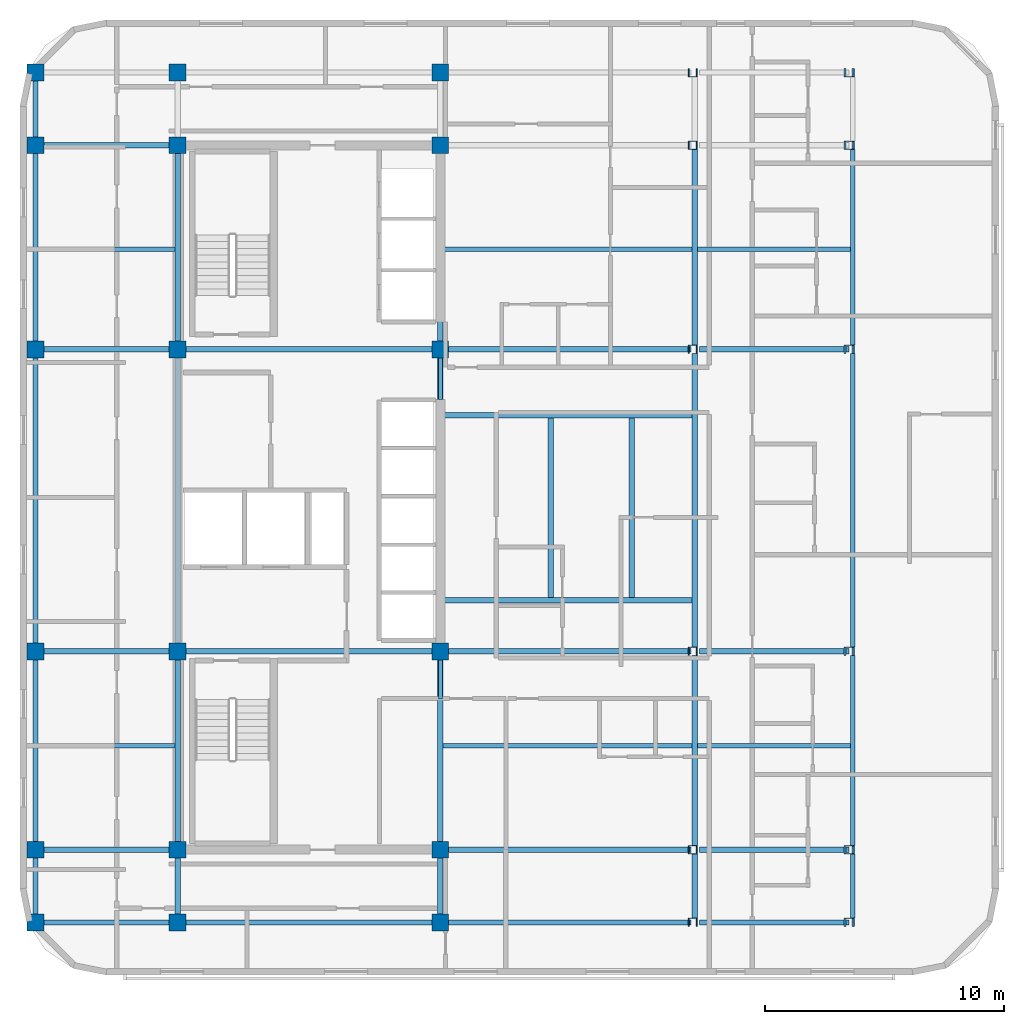
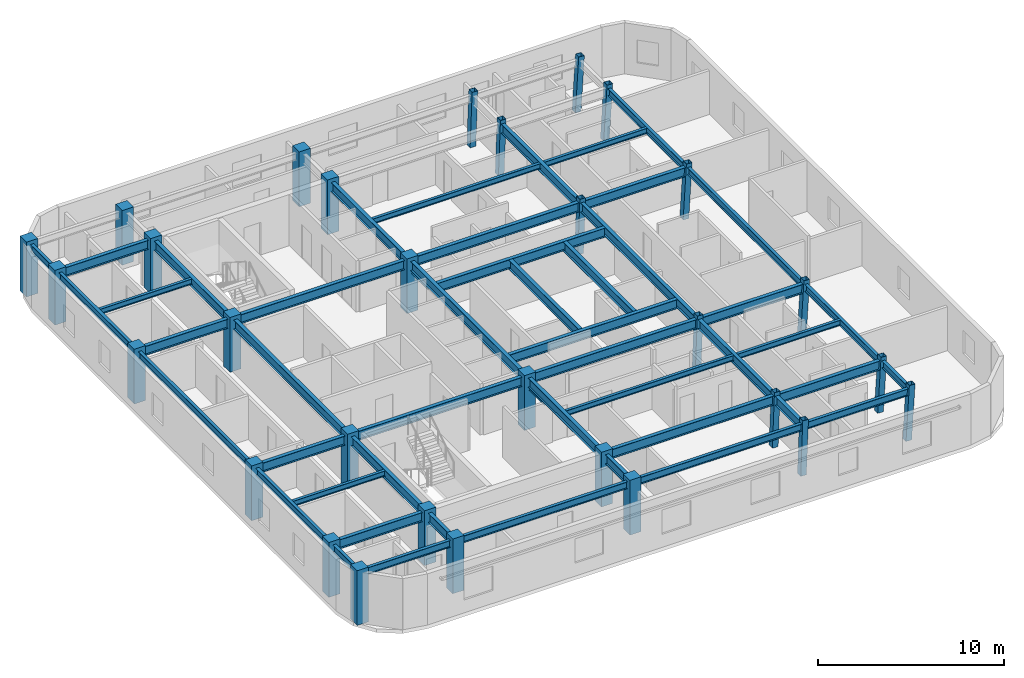
# One storey, part 1 of 10: 49 beams, 30 columns.
"""IFC4 building model written with IfcOpenShell, lengths in metres."""

from ifc_helpers import new_model, si_unit, direction, frame, origin, origin_2d, place, context, subcontext, project, spatial, rectangle, hollow_rectangle, i_section, extrude, material, material_profile, profile_set, type_object, element, save


model = new_model("IFC4")

# Units and contexts
model_context = context("Model", 3, precision=1e-05, world=origin(), true_north=direction((0.0, 1.0)))
body_context = subcontext(model_context, "Body", "Model", "MODEL_VIEW")
ifc_project = project(units=[si_unit("LENGTHUNIT", "METRE"), si_unit("AREAUNIT", "SQUARE_METRE"), si_unit("VOLUMEUNIT", "CUBIC_METRE"), si_unit("PLANEANGLEUNIT", "RADIAN"), si_unit("MASSUNIT", "GRAM", prefix="KILO")], contexts=[model_context])

# Site, building, storey
site_placement = place(None, origin())
site = spatial("IfcSite", under=ifc_project, at=site_placement, CompositionType="ELEMENT")
building_placement = place(site_placement, origin())
building = spatial("IfcBuilding", under=site, at=building_placement, Name="Ochreholt Gables", CompositionType="ELEMENT")
storey_placement = place(building_placement, frame((0.0, 0.0, 166.199951171875)))
storey = spatial("IfcBuildingStorey", under=building, at=storey_placement, Name="L43", CompositionType="ELEMENT", Elevation=166.199951171875)

# Columns
ifc_material_1 = material(Name="Steel CSA G40.21 350W", Category="steel")
ifc_material_profile_1 = material_profile(ifc_material_1, hollow_rectangle(XDim=0.35595703125, YDim=0.35595703125, WallThickness=0.01611328125, at=origin_2d()), Name="HSS356X356X16")
ifc_profile_set_1 = profile_set([ifc_material_profile_1], Name="Steel CSA G40.21 350W")
column_type_1 = type_object("IfcColumnType", Name="COL-HSS356-RAK", PredefinedType="COLUMN", material=ifc_profile_set_1)
for number, where, z_axis, x_axis, name in (
    (1, (45.7529296875, 9.25, 0.0), (0.034971136209, 0.0, 0.999388322742), (0.0, 1.0, 0.0), "L43 Column EMY2"),
    (2, (45.7529296875, 17.550048828125, 0.0), (0.034971136209, 0.0, 0.999388322742), (0.0, 1.0, 0.0), "L43 Column EMY3"),
    (3, (45.7529296875, 30.199951171875, 0.0), (0.034971136209, 0.0, 0.999388322742), (0.0, 1.0, 0.0), "L43 Column EMY4"),
    (4, (45.7529296875, 38.75, 0.0), (0.034971136209, 0.0, 0.999388322742), (0.0, 1.0, 0.0), "L43 Column EMY5"),
):
    element("IfcColumn", number, at=place(storey_placement, frame(where, z_axis=z_axis, x_axis=x_axis)), inside=storey, type_object=column_type_1, Name=name, PredefinedType="COLUMN", context=body_context, shape_type="SweptSolid", body=[
        extrude(hollow_rectangle(XDim=0.35595703125, YDim=0.35595703125, WallThickness=0.01611328125, at=origin_2d()), origin(), (0.0, 0.0, 1.0), 3.602294921875),
    ])
ifc_material_profile_2 = material_profile(ifc_material_1, hollow_rectangle(XDim=0.35595703125, YDim=0.35595703125, WallThickness=0.01611328125, at=origin_2d()), Name="HSS356X356X16")
ifc_profile_set_2 = profile_set([ifc_material_profile_2], Name="Steel CSA G40.21 350W")
column_type_2 = type_object("IfcColumnType", Name="COL-HSS356-RAKE", PredefinedType="COLUMN", material=ifc_profile_set_2)
for number, where, z_axis, x_axis, name in (
    (5, (45.7529296875, 6.199951171875, 0.0), (0.034971136209, 0.0, 0.999388322742), (0.0, 1.0, 0.0), "L43 Column EMY1"),
    (6, (45.7529296875, 41.800048828125, 0.0), (0.034971136209, 0.0, 0.999388322742), (0.0, 1.0, 0.0), "L43 Column EMY6"),
):
    element("IfcColumn", number, at=place(storey_placement, frame(where, z_axis=z_axis, x_axis=x_axis)), inside=storey, type_object=column_type_2, Name=name, PredefinedType="COLUMN", context=body_context, shape_type="SweptSolid", body=[
        extrude(hollow_rectangle(XDim=0.35595703125, YDim=0.35595703125, WallThickness=0.01611328125, at=origin_2d()), origin(), (0.0, 0.0, 1.0), 3.602294921875),
    ])
for number, where, z_axis, x_axis, name in (
    (7, (52.29638671875, 6.199951171875, 0.0), (0.057884606321, 0.0, 0.998323280481), (0.0, 1.0, 0.0), "L43 Column EEY1"),
    (8, (52.29638671875, 9.25, 0.0), (0.057884606321, 0.0, 0.998323280481), (0.0, 1.0, 0.0), "L43 Column EEY2"),
    (9, (52.29638671875, 17.550048828125, 0.0), (0.057884606321, 0.0, 0.998323280481), (0.0, 1.0, 0.0), "L43 Column EEY3"),
    (10, (52.29638671875, 30.199951171875, 0.0), (0.057884606321, 0.0, 0.998323280481), (0.0, 1.0, 0.0), "L43 Column EEY4"),
    (11, (52.29638671875, 38.75, 0.0), (0.057884606321, 0.0, 0.998323280481), (0.0, 1.0, 0.0), "L43 Column EEY5"),
    (12, (52.29638671875, 41.800048828125, 0.0), (0.057884606321, 0.0, 0.998323280481), (0.0, 1.0, 0.0), "L43 Column EEY6"),
):
    element("IfcColumn", number, at=place(storey_placement, frame(where, z_axis=z_axis, x_axis=x_axis)), inside=storey, type_object=column_type_2, Name=name, PredefinedType="COLUMN", context=body_context, shape_type="SweptSolid", body=[
        extrude(hollow_rectangle(XDim=0.35595703125, YDim=0.35595703125, WallThickness=0.01611328125, at=origin_2d()), origin(), (0.0, 0.0, 1.0), 3.606201171875),
    ])
ifc_material_2 = material(Name="Concrete 50 MPa", Category="concrete")
ifc_material_profile_3 = material_profile(ifc_material_2, rectangle(XDim=0.699951171875, YDim=0.699951171875, at=origin_2d()), Name="RC700X700")
ifc_profile_set_3 = profile_set([ifc_material_profile_3], Name="Concrete 50 MPa")
column_type_3 = type_object("IfcColumnType", Name="COL-RC700-EXT", PredefinedType="COLUMN", material=ifc_profile_set_3)
for number, where, z_axis, x_axis, name in (
    (13, (18.25, 6.199951171875, 0.0), (0.0, 0.0, 1.0), (1.0, 0.0, 0.0), "L43 Column W3Y1"),
    (14, (18.25, 9.25, 0.0), (0.0, 0.0, 1.0), (1.0, 0.0, 0.0), "L43 Column W3Y2"),
    (15, (18.25, 17.550048828125, 0.0), (0.0, 0.0, 1.0), (1.0, 0.0, 0.0), "L43 Column W3Y3"),
    (16, (18.25, 30.199951171875, 0.0), (0.0, 0.0, 1.0), (1.0, 0.0, 0.0), "L43 Column W3Y4"),
    (17, (18.25, 38.75, 0.0), (0.0, 0.0, 1.0), (1.0, 0.0, 0.0), "L43 Column W3Y5"),
    (18, (18.25, 41.800048828125, 0.0), (0.0, 0.0, 1.0), (1.0, 0.0, 0.0), "L43 Column W3Y6"),
    (19, (24.199951171875, 6.199951171875, 0.0), (0.0, 0.0, 1.0), (1.0, 0.0, 0.0), "L43 Column C1Y1"),
    (20, (24.199951171875, 41.800048828125, 0.0), (0.0, 0.0, 1.0), (1.0, 0.0, 0.0), "L43 Column C1Y6"),
    (21, (35.199951171875, 6.199951171875, 0.0), (0.0, 0.0, 1.0), (1.0, 0.0, 0.0), "L43 Column C2Y1"),
    (22, (35.199951171875, 41.800048828125, 0.0), (0.0, 0.0, 1.0), (1.0, 0.0, 0.0), "L43 Column C2Y6"),
):
    element("IfcColumn", number, at=place(storey_placement, frame(where, z_axis=z_axis, x_axis=x_axis)), inside=storey, type_object=column_type_3, Name=name, PredefinedType="COLUMN", context=body_context, shape_type="SweptSolid", body=[
        extrude(rectangle(XDim=0.699951171875, YDim=0.699951171875, at=origin_2d()), origin(), (0.0, 0.0, 1.0), 3.60009765625),
    ])
ifc_material_profile_4 = material_profile(ifc_material_2, rectangle(XDim=0.699951171875, YDim=0.699951171875, at=origin_2d()), Name="RC700X700")
ifc_profile_set_4 = profile_set([ifc_material_profile_4], Name="Concrete 50 MPa")
column_type_4 = type_object("IfcColumnType", Name="COL-RC700-INT", PredefinedType="COLUMN", material=ifc_profile_set_4)
for number, where, z_axis, x_axis, name in (
    (23, (24.199951171875, 9.25, 0.0), (0.0, 0.0, 1.0), (1.0, 0.0, 0.0), "L43 Column C1Y2"),
    (24, (24.199951171875, 17.550048828125, 0.0), (0.0, 0.0, 1.0), (1.0, 0.0, 0.0), "L43 Column C1Y3"),
    (25, (24.199951171875, 30.199951171875, 0.0), (0.0, 0.0, 1.0), (1.0, 0.0, 0.0), "L43 Column C1Y4"),
    (26, (24.199951171875, 38.75, 0.0), (0.0, 0.0, 1.0), (1.0, 0.0, 0.0), "L43 Column C1Y5"),
    (27, (35.199951171875, 9.25, 0.0), (0.0, 0.0, 1.0), (1.0, 0.0, 0.0), "L43 Column C2Y2"),
    (28, (35.199951171875, 17.550048828125, 0.0), (0.0, 0.0, 1.0), (1.0, 0.0, 0.0), "L43 Column C2Y3"),
    (29, (35.199951171875, 30.199951171875, 0.0), (0.0, 0.0, 1.0), (1.0, 0.0, 0.0), "L43 Column C2Y4"),
    (30, (35.199951171875, 38.75, 0.0), (0.0, 0.0, 1.0), (1.0, 0.0, 0.0), "L43 Column C2Y5"),
):
    element("IfcColumn", number, at=place(storey_placement, frame(where, z_axis=z_axis, x_axis=x_axis)), inside=storey, type_object=column_type_4, Name=name, PredefinedType="COLUMN", context=body_context, shape_type="SweptSolid", body=[
        extrude(rectangle(XDim=0.699951171875, YDim=0.699951171875, at=origin_2d()), origin(), (0.0, 0.0, 1.0), 3.60009765625),
    ])

# Beams
ifc_material_profile_5 = material_profile(ifc_material_1, i_section(OverallWidth=0.22900390625, OverallDepth=0.612060546875, WebThickness=0.011962890625, FlangeThickness=0.01953125, at=origin_2d()), Name="W610X125")
ifc_profile_set_5 = profile_set([ifc_material_profile_5], Name="Steel CSA G40.21 350W")
beam_type_1 = type_object("IfcBeamType", Name="BM-G-W610B", PredefinedType="BEAM", material=ifc_profile_set_5)
beam_1_placement = place(storey_placement, frame((18.599609375, 9.25, 3.053955078125), z_axis=(1.0, 0.0, 0.0), x_axis=(0.0, 1.0, 0.0)))
element("IfcBeam", 31, at=beam_1_placement, inside=storey, type_object=beam_type_1, Name="L43 Beam TBG-L43-W3C1-Y2", PredefinedType="BEAM", context=body_context, shape_type="SweptSolid", body=[
    extrude(i_section(OverallWidth=0.22900390625, OverallDepth=0.612060546875, WebThickness=0.011962890625, FlangeThickness=0.01953125, at=origin_2d()), origin(), (0.0, 0.0, 1.0), 5.250732421875),
])
beam_2_placement = place(storey_placement, frame((35.549560546875, 9.25, 3.053955078125), z_axis=(1.0, 0.0, 0.0), x_axis=(0.0, 1.0, 0.0)))
element("IfcBeam", 32, at=beam_2_placement, inside=storey, type_object=beam_type_1, Name="L43 Beam TBG-L43-C2EM-Y2", PredefinedType="BEAM", context=body_context, shape_type="SweptSolid", body=[
    extrude(i_section(OverallWidth=0.22900390625, OverallDepth=0.612060546875, WebThickness=0.011962890625, FlangeThickness=0.01953125, at=origin_2d()), origin(), (0.0, 0.0, 1.0), 10.15185546875),
])
beam_3_placement = place(storey_placement, frame((46.056640625, 9.25, 3.053955078125), z_axis=(1.0, 0.0, 0.0), x_axis=(0.0, 1.0, 0.0)))
element("IfcBeam", 33, at=beam_3_placement, inside=storey, type_object=beam_type_1, Name="L43 Beam TBG-L43-EMEE-Y2", PredefinedType="BEAM", context=body_context, shape_type="SweptSolid", body=[
    extrude(i_section(OverallWidth=0.22900390625, OverallDepth=0.612060546875, WebThickness=0.011962890625, FlangeThickness=0.01953125, at=origin_2d()), origin(), (0.0, 0.0, 1.0), 6.27099609375),
])
beam_4_placement = place(storey_placement, frame((18.599609375, 17.550048828125, 3.053955078125), z_axis=(1.0, 0.0, 0.0), x_axis=(0.0, 1.0, 0.0)))
element("IfcBeam", 34, at=beam_4_placement, inside=storey, type_object=beam_type_1, Name="L43 Beam TBG-L43-W3C1-Y3", PredefinedType="BEAM", context=body_context, shape_type="SweptSolid", body=[
    extrude(i_section(OverallWidth=0.22900390625, OverallDepth=0.612060546875, WebThickness=0.011962890625, FlangeThickness=0.01953125, at=origin_2d()), origin(), (0.0, 0.0, 1.0), 5.250732421875),
])
beam_5_placement = place(storey_placement, frame((24.549560546875, 17.550048828125, 3.053955078125), z_axis=(1.0, 0.0, 0.0), x_axis=(0.0, 1.0, 0.0)))
element("IfcBeam", 35, at=beam_5_placement, inside=storey, type_object=beam_type_1, Name="L43 Beam TBG-L43-C1C2-Y3", PredefinedType="BEAM", context=body_context, shape_type="SweptSolid", body=[
    extrude(i_section(OverallWidth=0.22900390625, OverallDepth=0.612060546875, WebThickness=0.011962890625, FlangeThickness=0.01953125, at=origin_2d()), origin(), (0.0, 0.0, 1.0), 10.30078125),
])
beam_6_placement = place(storey_placement, frame((35.549560546875, 17.550048828125, 3.053955078125), z_axis=(1.0, 0.0, 0.0), x_axis=(0.0, 1.0, 0.0)))
element("IfcBeam", 36, at=beam_6_placement, inside=storey, type_object=beam_type_1, Name="L43 Beam TBG-L43-C2EM-Y3", PredefinedType="BEAM", context=body_context, shape_type="SweptSolid", body=[
    extrude(i_section(OverallWidth=0.22900390625, OverallDepth=0.612060546875, WebThickness=0.011962890625, FlangeThickness=0.01953125, at=origin_2d()), origin(), (0.0, 0.0, 1.0), 10.15185546875),
])
beam_7_placement = place(storey_placement, frame((46.056640625, 17.550048828125, 3.053955078125), z_axis=(1.0, 0.0, 0.0), x_axis=(0.0, 1.0, 0.0)))
element("IfcBeam", 37, at=beam_7_placement, inside=storey, type_object=beam_type_1, Name="L43 Beam TBG-L43-EMEE-Y3", PredefinedType="BEAM", context=body_context, shape_type="SweptSolid", body=[
    extrude(i_section(OverallWidth=0.22900390625, OverallDepth=0.612060546875, WebThickness=0.011962890625, FlangeThickness=0.01953125, at=origin_2d()), origin(), (0.0, 0.0, 1.0), 6.27099609375),
])
beam_8_placement = place(storey_placement, frame((18.599609375, 30.199951171875, 3.053955078125), z_axis=(1.0, 0.0, 0.0), x_axis=(0.0, 1.0, 0.0)))
element("IfcBeam", 38, at=beam_8_placement, inside=storey, type_object=beam_type_1, Name="L43 Beam TBG-L43-W3C1-Y4", PredefinedType="BEAM", context=body_context, shape_type="SweptSolid", body=[
    extrude(i_section(OverallWidth=0.22900390625, OverallDepth=0.612060546875, WebThickness=0.011962890625, FlangeThickness=0.01953125, at=origin_2d()), origin(), (0.0, 0.0, 1.0), 5.250732421875),
])
beam_9_placement = place(storey_placement, frame((24.549560546875, 30.199951171875, 3.053955078125), z_axis=(1.0, 0.0, 0.0), x_axis=(0.0, 1.0, 0.0)))
element("IfcBeam", 39, at=beam_9_placement, inside=storey, type_object=beam_type_1, Name="L43 Beam TBG-L43-C1C2-Y4", PredefinedType="BEAM", context=body_context, shape_type="SweptSolid", body=[
    extrude(i_section(OverallWidth=0.22900390625, OverallDepth=0.612060546875, WebThickness=0.011962890625, FlangeThickness=0.01953125, at=origin_2d()), origin(), (0.0, 0.0, 1.0), 10.30078125),
])
beam_10_placement = place(storey_placement, frame((35.549560546875, 30.199951171875, 3.053955078125), z_axis=(1.0, 0.0, 0.0), x_axis=(0.0, 1.0, 0.0)))
element("IfcBeam", 40, at=beam_10_placement, inside=storey, type_object=beam_type_1, Name="L43 Beam TBG-L43-C2EM-Y4", PredefinedType="BEAM", context=body_context, shape_type="SweptSolid", body=[
    extrude(i_section(OverallWidth=0.22900390625, OverallDepth=0.612060546875, WebThickness=0.011962890625, FlangeThickness=0.01953125, at=origin_2d()), origin(), (0.0, 0.0, 1.0), 10.15185546875),
])
beam_11_placement = place(storey_placement, frame((46.056640625, 30.199951171875, 3.053955078125), z_axis=(1.0, 0.0, 0.0), x_axis=(0.0, 1.0, 0.0)))
element("IfcBeam", 41, at=beam_11_placement, inside=storey, type_object=beam_type_1, Name="L43 Beam TBG-L43-EMEE-Y4", PredefinedType="BEAM", context=body_context, shape_type="SweptSolid", body=[
    extrude(i_section(OverallWidth=0.22900390625, OverallDepth=0.612060546875, WebThickness=0.011962890625, FlangeThickness=0.01953125, at=origin_2d()), origin(), (0.0, 0.0, 1.0), 6.27099609375),
])
beam_12_placement = place(storey_placement, frame((18.599609375, 38.75, 3.053955078125), z_axis=(1.0, 0.0, 0.0), x_axis=(0.0, 1.0, 0.0)))
element("IfcBeam", 42, at=beam_12_placement, inside=storey, type_object=beam_type_1, Name="L43 Beam TBG-L43-W3C1-Y5", PredefinedType="BEAM", context=body_context, shape_type="SweptSolid", body=[
    extrude(i_section(OverallWidth=0.22900390625, OverallDepth=0.612060546875, WebThickness=0.011962890625, FlangeThickness=0.01953125, at=origin_2d()), origin(), (0.0, 0.0, 1.0), 5.250732421875),
])
beam_13_placement = place(storey_placement, frame((24.199951171875, 6.549560546875, 3.053955078125), z_axis=(0.0, 1.0, 0.0), x_axis=(-1.0, 0.0, 0.0)))
element("IfcBeam", 43, at=beam_13_placement, inside=storey, type_object=beam_type_1, Name="L43 Beam TBN-L43-C1-Y1Y2", PredefinedType="BEAM", context=body_context, shape_type="SweptSolid", body=[
    extrude(i_section(OverallWidth=0.22900390625, OverallDepth=0.612060546875, WebThickness=0.011962890625, FlangeThickness=0.01953125, at=origin_2d()), origin(), (0.0, 0.0, 1.0), 2.350830078125),
])
beam_14_placement = place(storey_placement, frame((24.199951171875, 9.599609375, 3.053955078125), z_axis=(0.0, 1.0, 0.0), x_axis=(-1.0, 0.0, 0.0)))
element("IfcBeam", 44, at=beam_14_placement, inside=storey, type_object=beam_type_1, Name="L43 Beam TBN-L43-C1-Y2Y3", PredefinedType="BEAM", context=body_context, shape_type="SweptSolid", body=[
    extrude(i_section(OverallWidth=0.22900390625, OverallDepth=0.612060546875, WebThickness=0.011962890625, FlangeThickness=0.01953125, at=origin_2d()), origin(), (0.0, 0.0, 1.0), 7.600830078125),
])
beam_15_placement = place(storey_placement, frame((24.199951171875, 17.899658203125, 3.053955078125), z_axis=(0.0, 1.0, 0.0), x_axis=(-1.0, 0.0, 0.0)))
element("IfcBeam", 45, at=beam_15_placement, inside=storey, type_object=beam_type_1, Name="L43 Beam TBN-L43-C1-Y3Y4", PredefinedType="BEAM", context=body_context, shape_type="SweptSolid", body=[
    extrude(i_section(OverallWidth=0.22900390625, OverallDepth=0.612060546875, WebThickness=0.011962890625, FlangeThickness=0.01953125, at=origin_2d()), origin(), (0.0, 0.0, 1.0), 11.95068359375),
])
beam_16_placement = place(storey_placement, frame((24.199951171875, 30.549560546875, 3.053955078125), z_axis=(0.0, 1.0, 0.0), x_axis=(-1.0, 0.0, 0.0)))
element("IfcBeam", 46, at=beam_16_placement, inside=storey, type_object=beam_type_1, Name="L43 Beam TBN-L43-C1-Y4Y5", PredefinedType="BEAM", context=body_context, shape_type="SweptSolid", body=[
    extrude(i_section(OverallWidth=0.22900390625, OverallDepth=0.612060546875, WebThickness=0.011962890625, FlangeThickness=0.01953125, at=origin_2d()), origin(), (0.0, 0.0, 1.0), 7.850830078125),
])
beam_17_placement = place(storey_placement, frame((35.199951171875, 6.549560546875, 3.053955078125), z_axis=(0.0, 1.0, 0.0), x_axis=(-1.0, 0.0, 0.0)))
element("IfcBeam", 47, at=beam_17_placement, inside=storey, type_object=beam_type_1, Name="L43 Beam TBN-L43-C2-Y1Y2", PredefinedType="BEAM", context=body_context, shape_type="SweptSolid", body=[
    extrude(i_section(OverallWidth=0.22900390625, OverallDepth=0.612060546875, WebThickness=0.011962890625, FlangeThickness=0.01953125, at=origin_2d()), origin(), (0.0, 0.0, 1.0), 2.350830078125),
])
beam_18_placement = place(storey_placement, frame((35.199951171875, 9.599609375, 3.053955078125), z_axis=(0.0, 1.0, 0.0), x_axis=(-1.0, 0.0, 0.0)))
element("IfcBeam", 48, at=beam_18_placement, inside=storey, type_object=beam_type_1, Name="L43 Beam TBN-L43-C2-Y2Y3", PredefinedType="BEAM", context=body_context, shape_type="SweptSolid", body=[
    extrude(i_section(OverallWidth=0.22900390625, OverallDepth=0.612060546875, WebThickness=0.011962890625, FlangeThickness=0.01953125, at=origin_2d()), origin(), (0.0, 0.0, 1.0), 7.600830078125),
])
beam_19_placement = place(storey_placement, frame((35.199951171875, 17.899658203125, 3.053955078125), z_axis=(0.0, 1.0, 0.0), x_axis=(-1.0, 0.0, 0.0)))
element("IfcBeam", 49, at=beam_19_placement, inside=storey, type_object=beam_type_1, Name="L43 Beam TBN-L43-C2-Y3Y4", PredefinedType="BEAM", context=body_context, shape_type="SweptSolid", body=[
    extrude(i_section(OverallWidth=0.22900390625, OverallDepth=0.612060546875, WebThickness=0.011962890625, FlangeThickness=0.01953125, at=origin_2d()), origin(), (0.0, 0.0, 1.0), 11.95068359375),
])
beam_20_placement = place(storey_placement, frame((35.199951171875, 30.549560546875, 3.053955078125), z_axis=(0.0, 1.0, 0.0), x_axis=(-1.0, 0.0, 0.0)))
element("IfcBeam", 50, at=beam_20_placement, inside=storey, type_object=beam_type_1, Name="L43 Beam TBN-L43-C2-Y4Y5", PredefinedType="BEAM", context=body_context, shape_type="SweptSolid", body=[
    extrude(i_section(OverallWidth=0.22900390625, OverallDepth=0.612060546875, WebThickness=0.011962890625, FlangeThickness=0.01953125, at=origin_2d()), origin(), (0.0, 0.0, 1.0), 7.850830078125),
])
beam_21_placement = place(storey_placement, frame((45.86181640625, 6.377685546875, 3.053955078125), z_axis=(0.0, 1.0, 0.0), x_axis=(-1.0, 0.0, 0.0)))
element("IfcBeam", 51, at=beam_21_placement, inside=storey, type_object=beam_type_1, Name="L43 Beam TBN-L43-EM-Y1Y2", PredefinedType="BEAM", context=body_context, shape_type="SweptSolid", body=[
    extrude(i_section(OverallWidth=0.22900390625, OverallDepth=0.612060546875, WebThickness=0.011962890625, FlangeThickness=0.01953125, at=origin_2d()), origin(), (0.0, 0.0, 1.0), 2.69482421875),
])
beam_22_placement = place(storey_placement, frame((45.86181640625, 9.427490234375, 3.053955078125), z_axis=(0.0, 1.0, 0.0), x_axis=(-1.0, 0.0, 0.0)))
element("IfcBeam", 52, at=beam_22_placement, inside=storey, type_object=beam_type_1, Name="L43 Beam TBN-L43-EM-Y2Y3", PredefinedType="BEAM", context=body_context, shape_type="SweptSolid", body=[
    extrude(i_section(OverallWidth=0.22900390625, OverallDepth=0.612060546875, WebThickness=0.011962890625, FlangeThickness=0.01953125, at=origin_2d()), origin(), (0.0, 0.0, 1.0), 7.94482421875),
])
beam_23_placement = place(storey_placement, frame((45.86181640625, 17.7275390625, 3.053955078125), z_axis=(0.0, 1.0, 0.0), x_axis=(-1.0, 0.0, 0.0)))
element("IfcBeam", 53, at=beam_23_placement, inside=storey, type_object=beam_type_1, Name="L43 Beam TBN-L43-EM-Y3Y4", PredefinedType="BEAM", context=body_context, shape_type="SweptSolid", body=[
    extrude(i_section(OverallWidth=0.22900390625, OverallDepth=0.612060546875, WebThickness=0.011962890625, FlangeThickness=0.01953125, at=origin_2d()), origin(), (0.0, 0.0, 1.0), 12.294921875),
])
beam_24_placement = place(storey_placement, frame((45.86181640625, 30.377685546875, 3.053955078125), z_axis=(0.0, 1.0, 0.0), x_axis=(-1.0, 0.0, 0.0)))
element("IfcBeam", 54, at=beam_24_placement, inside=storey, type_object=beam_type_1, Name="L43 Beam TBN-L43-EM-Y4Y5", PredefinedType="BEAM", context=body_context, shape_type="SweptSolid", body=[
    extrude(i_section(OverallWidth=0.22900390625, OverallDepth=0.612060546875, WebThickness=0.011962890625, FlangeThickness=0.01953125, at=origin_2d()), origin(), (0.0, 0.0, 1.0), 8.19482421875),
])
for number, where, z_axis, x_axis, name in (
    (55, (35.314208984375, 19.68994140625, 3.053955078125), (1.0, 0.0, 0.0), (0.0, 1.0, 0.0), "L43 Beam TBH-L43-ST-C4-FSTLS"),
    (56, (35.314208984375, 27.449951171875, 3.053955078125), (1.0, 0.0, 0.0), (0.0, 1.0, 0.0), "L43 Beam TBH-L43-ST-C4-FSTLN"),
):
    element("IfcBeam", number, at=place(storey_placement, frame(where, z_axis=z_axis, x_axis=x_axis)), inside=storey, type_object=beam_type_1, Name=name, PredefinedType="BEAM", context=body_context, shape_type="SweptSolid", body=[
        extrude(i_section(OverallWidth=0.22900390625, OverallDepth=0.612060546875, WebThickness=0.011962890625, FlangeThickness=0.01953125, at=origin_2d()), origin(), (0.0, 0.0, 1.0), 10.43359375),
    ])
for number, where, z_axis, x_axis, name in (
    (57, (39.840087890625, 19.80419921875, 3.053955078125), (0.0, 1.0, 0.0), (-1.0, 0.0, 0.0), "L43 Beam TBT-L43-ST-C4-FSTLW"),
    (58, (43.219970703125, 19.80419921875, 3.053955078125), (0.0, 1.0, 0.0), (-1.0, 0.0, 0.0), "L43 Beam TBT-L43-ST-C4-FSTLE"),
):
    element("IfcBeam", number, at=place(storey_placement, frame(where, z_axis=z_axis, x_axis=x_axis)), inside=storey, type_object=beam_type_1, Name=name, PredefinedType="BEAM", context=body_context, shape_type="SweptSolid", body=[
        extrude(i_section(OverallWidth=0.22900390625, OverallDepth=0.612060546875, WebThickness=0.011962890625, FlangeThickness=0.01953125, at=origin_2d()), origin(), (0.0, 0.0, 1.0), 7.53173828125),
    ])
ifc_material_profile_6 = material_profile(ifc_material_1, i_section(OverallWidth=0.172119140625, OverallDepth=0.35791015625, WebThickness=0.0078125, FlangeThickness=0.01318359375, at=origin_2d()), Name="W360X57")
ifc_profile_set_6 = profile_set([ifc_material_profile_6], Name="Steel CSA G40.21 350W")
beam_type_2 = type_object("IfcBeamType", Name="BM-J-W360B", PredefinedType="JOIST", material=ifc_profile_set_6)
beam_25_placement = place(storey_placement, frame((18.345703125, 13.60009765625, 3.18115234375), z_axis=(1.0, 0.0, 0.0), x_axis=(0.0, 1.0, 0.0)))
element("IfcBeam", 59, at=beam_25_placement, inside=storey, type_object=beam_type_2, Name="L43 Beam TBJ-L43-J1-W3C1", PredefinedType="JOIST", context=body_context, shape_type="SweptSolid", body=[
    extrude(i_section(OverallWidth=0.172119140625, OverallDepth=0.35791015625, WebThickness=0.0078125, FlangeThickness=0.01318359375, at=origin_2d()), origin(), (0.0, 0.0, 1.0), 5.740234375),
])
beam_26_placement = place(storey_placement, frame((35.314208984375, 13.60009765625, 3.18115234375), z_axis=(1.0, 0.0, 0.0), x_axis=(0.0, 1.0, 0.0)))
element("IfcBeam", 60, at=beam_26_placement, inside=storey, type_object=beam_type_2, Name="L43 Beam TBJ-L43-J1-C2EM", PredefinedType="JOIST", context=body_context, shape_type="SweptSolid", body=[
    extrude(i_section(OverallWidth=0.172119140625, OverallDepth=0.35791015625, WebThickness=0.0078125, FlangeThickness=0.01318359375, at=origin_2d()), origin(), (0.0, 0.0, 1.0), 10.43359375),
])
beam_27_placement = place(storey_placement, frame((45.975830078125, 13.60009765625, 3.18115234375), z_axis=(1.0, 0.0, 0.0), x_axis=(0.0, 1.0, 0.0)))
element("IfcBeam", 61, at=beam_27_placement, inside=storey, type_object=beam_type_2, Name="L43 Beam TBJ-L43-J1-EMEE", PredefinedType="JOIST", context=body_context, shape_type="SweptSolid", body=[
    extrude(i_section(OverallWidth=0.172119140625, OverallDepth=0.35791015625, WebThickness=0.0078125, FlangeThickness=0.01318359375, at=origin_2d()), origin(), (0.0, 0.0, 1.0), 6.4052734375),
])
beam_28_placement = place(storey_placement, frame((18.345703125, 34.39990234375, 3.18115234375), z_axis=(1.0, 0.0, 0.0), x_axis=(0.0, 1.0, 0.0)))
element("IfcBeam", 62, at=beam_28_placement, inside=storey, type_object=beam_type_2, Name="L43 Beam TBJ-L43-J2-W3C1", PredefinedType="JOIST", context=body_context, shape_type="SweptSolid", body=[
    extrude(i_section(OverallWidth=0.172119140625, OverallDepth=0.35791015625, WebThickness=0.0078125, FlangeThickness=0.01318359375, at=origin_2d()), origin(), (0.0, 0.0, 1.0), 5.740234375),
])
beam_29_placement = place(storey_placement, frame((35.314208984375, 34.39990234375, 3.18115234375), z_axis=(1.0, 0.0, 0.0), x_axis=(0.0, 1.0, 0.0)))
element("IfcBeam", 63, at=beam_29_placement, inside=storey, type_object=beam_type_2, Name="L43 Beam TBJ-L43-J2-C2EM", PredefinedType="JOIST", context=body_context, shape_type="SweptSolid", body=[
    extrude(i_section(OverallWidth=0.172119140625, OverallDepth=0.35791015625, WebThickness=0.0078125, FlangeThickness=0.01318359375, at=origin_2d()), origin(), (0.0, 0.0, 1.0), 10.43359375),
])
beam_30_placement = place(storey_placement, frame((45.975830078125, 34.39990234375, 3.18115234375), z_axis=(1.0, 0.0, 0.0), x_axis=(0.0, 1.0, 0.0)))
element("IfcBeam", 64, at=beam_30_placement, inside=storey, type_object=beam_type_2, Name="L43 Beam TBJ-L43-J2-EMEE", PredefinedType="JOIST", context=body_context, shape_type="SweptSolid", body=[
    extrude(i_section(OverallWidth=0.172119140625, OverallDepth=0.35791015625, WebThickness=0.0078125, FlangeThickness=0.01318359375, at=origin_2d()), origin(), (0.0, 0.0, 1.0), 6.4052734375),
])
ifc_material_profile_7 = material_profile(ifc_material_1, i_section(OverallWidth=0.1650390625, OverallDepth=0.200927734375, WebThickness=0.006103515625, FlangeThickness=0.01025390625, at=origin_2d()), Name="W200X36")
ifc_profile_set_7 = profile_set([ifc_material_profile_7], Name="Steel CSA G40.21 350W")
beam_type_3 = type_object("IfcBeamType", Name="BM-LIN-W200", PredefinedType="LINTEL", material=ifc_profile_set_7)
beam_31_placement = place(storey_placement, frame((35.2099609375, 15.550048828125, 2.6474609375), z_axis=(0.0, 1.0, 0.0), x_axis=(-1.0, 0.0, 0.0)))
element("IfcBeam", 65, at=beam_31_placement, inside=storey, type_object=beam_type_3, Name="L43 Core Coupling Lintel CPS", PredefinedType="LINTEL", context=body_context, shape_type="SweptSolid", body=[
    extrude(i_section(OverallWidth=0.1650390625, OverallDepth=0.200927734375, WebThickness=0.006103515625, FlangeThickness=0.01025390625, at=origin_2d()), origin(), (0.0, 0.0, 1.0), 1.64990234375),
])
beam_32_placement = place(storey_placement, frame((35.2099609375, 28.10009765625, 2.6474609375), z_axis=(0.0, 1.0, 0.0), x_axis=(-1.0, 0.0, 0.0)))
element("IfcBeam", 66, at=beam_32_placement, inside=storey, type_object=beam_type_3, Name="L43 Core Coupling Lintel CPN", PredefinedType="LINTEL", context=body_context, shape_type="SweptSolid", body=[
    extrude(i_section(OverallWidth=0.1650390625, OverallDepth=0.200927734375, WebThickness=0.006103515625, FlangeThickness=0.01025390625, at=origin_2d()), origin(), (0.0, 0.0, 1.0), 1.75),
])
ifc_material_profile_8 = material_profile(ifc_material_1, i_section(OverallWidth=0.19189453125, OverallDepth=0.462890625, WebThickness=0.010498046875, FlangeThickness=0.017578125, at=origin_2d()), Name="W460X89")
ifc_profile_set_8 = profile_set([ifc_material_profile_8], Name="Steel CSA G40.21 350W")
beam_type_4 = type_object("IfcBeamType", Name="BM-SP-W460A", PredefinedType="SPANDREL", material=ifc_profile_set_8)
beam_33_placement = place(storey_placement, frame((18.599609375, 6.199951171875, 3.128662109375), z_axis=(1.0, 0.0, 0.0), x_axis=(0.0, 1.0, 0.0)))
element("IfcBeam", 67, at=beam_33_placement, inside=storey, type_object=beam_type_4, Name="L43 Beam TBG-L43-W3C1-Y1", PredefinedType="SPANDREL", context=body_context, shape_type="SweptSolid", body=[
    extrude(i_section(OverallWidth=0.19189453125, OverallDepth=0.462890625, WebThickness=0.010498046875, FlangeThickness=0.017578125, at=origin_2d()), origin(), (0.0, 0.0, 1.0), 5.250732421875),
])
beam_34_placement = place(storey_placement, frame((24.549560546875, 6.199951171875, 3.128662109375), z_axis=(1.0, 0.0, 0.0), x_axis=(0.0, 1.0, 0.0)))
element("IfcBeam", 68, at=beam_34_placement, inside=storey, type_object=beam_type_4, Name="L43 Beam TBG-L43-C1C2-Y1", PredefinedType="SPANDREL", context=body_context, shape_type="SweptSolid", body=[
    extrude(i_section(OverallWidth=0.19189453125, OverallDepth=0.462890625, WebThickness=0.010498046875, FlangeThickness=0.017578125, at=origin_2d()), origin(), (0.0, 0.0, 1.0), 10.30078125),
])
beam_35_placement = place(storey_placement, frame((35.549560546875, 6.199951171875, 3.128662109375), z_axis=(1.0, 0.0, 0.0), x_axis=(0.0, 1.0, 0.0)))
element("IfcBeam", 69, at=beam_35_placement, inside=storey, type_object=beam_type_4, Name="L43 Beam TBG-L43-C2EM-Y1", PredefinedType="SPANDREL", context=body_context, shape_type="SweptSolid", body=[
    extrude(i_section(OverallWidth=0.19189453125, OverallDepth=0.462890625, WebThickness=0.010498046875, FlangeThickness=0.017578125, at=origin_2d()), origin(), (0.0, 0.0, 1.0), 10.15185546875),
])
beam_36_placement = place(storey_placement, frame((46.056640625, 6.199951171875, 3.128662109375), z_axis=(1.0, 0.0, 0.0), x_axis=(0.0, 1.0, 0.0)))
element("IfcBeam", 70, at=beam_36_placement, inside=storey, type_object=beam_type_4, Name="L43 Beam TBG-L43-EMEE-Y1", PredefinedType="SPANDREL", context=body_context, shape_type="SweptSolid", body=[
    extrude(i_section(OverallWidth=0.19189453125, OverallDepth=0.462890625, WebThickness=0.010498046875, FlangeThickness=0.017578125, at=origin_2d()), origin(), (0.0, 0.0, 1.0), 6.27099609375),
])
beam_37_placement = place(storey_placement, frame((18.25, 6.549560546875, 3.128662109375), z_axis=(0.0, 1.0, 0.0), x_axis=(-1.0, 0.0, 0.0)))
element("IfcBeam", 71, at=beam_37_placement, inside=storey, type_object=beam_type_4, Name="L43 Beam TBN-L43-W3-Y1Y2", PredefinedType="SPANDREL", context=body_context, shape_type="SweptSolid", body=[
    extrude(i_section(OverallWidth=0.19189453125, OverallDepth=0.462890625, WebThickness=0.010498046875, FlangeThickness=0.017578125, at=origin_2d()), origin(), (0.0, 0.0, 1.0), 2.350830078125),
])
beam_38_placement = place(storey_placement, frame((18.25, 9.599609375, 3.128662109375), z_axis=(0.0, 1.0, 0.0), x_axis=(-1.0, 0.0, 0.0)))
element("IfcBeam", 72, at=beam_38_placement, inside=storey, type_object=beam_type_4, Name="L43 Beam TBN-L43-W3-Y2Y3", PredefinedType="SPANDREL", context=body_context, shape_type="SweptSolid", body=[
    extrude(i_section(OverallWidth=0.19189453125, OverallDepth=0.462890625, WebThickness=0.010498046875, FlangeThickness=0.017578125, at=origin_2d()), origin(), (0.0, 0.0, 1.0), 7.600830078125),
])
beam_39_placement = place(storey_placement, frame((18.25, 17.899658203125, 3.128662109375), z_axis=(0.0, 1.0, 0.0), x_axis=(-1.0, 0.0, 0.0)))
element("IfcBeam", 73, at=beam_39_placement, inside=storey, type_object=beam_type_4, Name="L43 Beam TBN-L43-W3-Y3Y4", PredefinedType="SPANDREL", context=body_context, shape_type="SweptSolid", body=[
    extrude(i_section(OverallWidth=0.19189453125, OverallDepth=0.462890625, WebThickness=0.010498046875, FlangeThickness=0.017578125, at=origin_2d()), origin(), (0.0, 0.0, 1.0), 11.95068359375),
])
beam_40_placement = place(storey_placement, frame((18.25, 30.549560546875, 3.128662109375), z_axis=(0.0, 1.0, 0.0), x_axis=(-1.0, 0.0, 0.0)))
element("IfcBeam", 74, at=beam_40_placement, inside=storey, type_object=beam_type_4, Name="L43 Beam TBN-L43-W3-Y4Y5", PredefinedType="SPANDREL", context=body_context, shape_type="SweptSolid", body=[
    extrude(i_section(OverallWidth=0.19189453125, OverallDepth=0.462890625, WebThickness=0.010498046875, FlangeThickness=0.017578125, at=origin_2d()), origin(), (0.0, 0.0, 1.0), 7.850830078125),
])
beam_41_placement = place(storey_placement, frame((18.25, 39.099609375, 3.128662109375), z_axis=(0.0, 1.0, 0.0), x_axis=(-1.0, 0.0, 0.0)))
element("IfcBeam", 75, at=beam_41_placement, inside=storey, type_object=beam_type_4, Name="L43 Beam TBN-L43-W3-Y5Y6", PredefinedType="SPANDREL", context=body_context, shape_type="SweptSolid", body=[
    extrude(i_section(OverallWidth=0.19189453125, OverallDepth=0.462890625, WebThickness=0.010498046875, FlangeThickness=0.017578125, at=origin_2d()), origin(), (0.0, 0.0, 1.0), 2.350830078125),
])
beam_42_placement = place(storey_placement, frame((52.476806640625, 6.377685546875, 3.128662109375), z_axis=(0.0, 1.0, 0.0), x_axis=(-1.0, 0.0, 0.0)))
element("IfcBeam", 76, at=beam_42_placement, inside=storey, type_object=beam_type_4, Name="L43 Beam TBN-L43-EE-Y1Y2", PredefinedType="SPANDREL", context=body_context, shape_type="SweptSolid", body=[
    extrude(i_section(OverallWidth=0.19189453125, OverallDepth=0.462890625, WebThickness=0.010498046875, FlangeThickness=0.017578125, at=origin_2d()), origin(), (0.0, 0.0, 1.0), 2.69482421875),
])
beam_43_placement = place(storey_placement, frame((52.476806640625, 9.427490234375, 3.128662109375), z_axis=(0.0, 1.0, 0.0), x_axis=(-1.0, 0.0, 0.0)))
element("IfcBeam", 77, at=beam_43_placement, inside=storey, type_object=beam_type_4, Name="L43 Beam TBN-L43-EE-Y2Y3", PredefinedType="SPANDREL", context=body_context, shape_type="SweptSolid", body=[
    extrude(i_section(OverallWidth=0.19189453125, OverallDepth=0.462890625, WebThickness=0.010498046875, FlangeThickness=0.017578125, at=origin_2d()), origin(), (0.0, 0.0, 1.0), 7.94482421875),
])
beam_44_placement = place(storey_placement, frame((52.476806640625, 17.7275390625, 3.128662109375), z_axis=(0.0, 1.0, 0.0), x_axis=(-1.0, 0.0, 0.0)))
element("IfcBeam", 78, at=beam_44_placement, inside=storey, type_object=beam_type_4, Name="L43 Beam TBN-L43-EE-Y3Y4", PredefinedType="SPANDREL", context=body_context, shape_type="SweptSolid", body=[
    extrude(i_section(OverallWidth=0.19189453125, OverallDepth=0.462890625, WebThickness=0.010498046875, FlangeThickness=0.017578125, at=origin_2d()), origin(), (0.0, 0.0, 1.0), 12.294921875),
])
beam_45_placement = place(storey_placement, frame((52.476806640625, 30.377685546875, 3.128662109375), z_axis=(0.0, 1.0, 0.0), x_axis=(-1.0, 0.0, 0.0)))
element("IfcBeam", 79, at=beam_45_placement, inside=storey, type_object=beam_type_4, Name="L43 Beam TBN-L43-EE-Y4Y5", PredefinedType="SPANDREL", context=body_context, shape_type="SweptSolid", body=[
    extrude(i_section(OverallWidth=0.19189453125, OverallDepth=0.462890625, WebThickness=0.010498046875, FlangeThickness=0.017578125, at=origin_2d()), origin(), (0.0, 0.0, 1.0), 8.19482421875),
])

save(model, "model.ifc")
